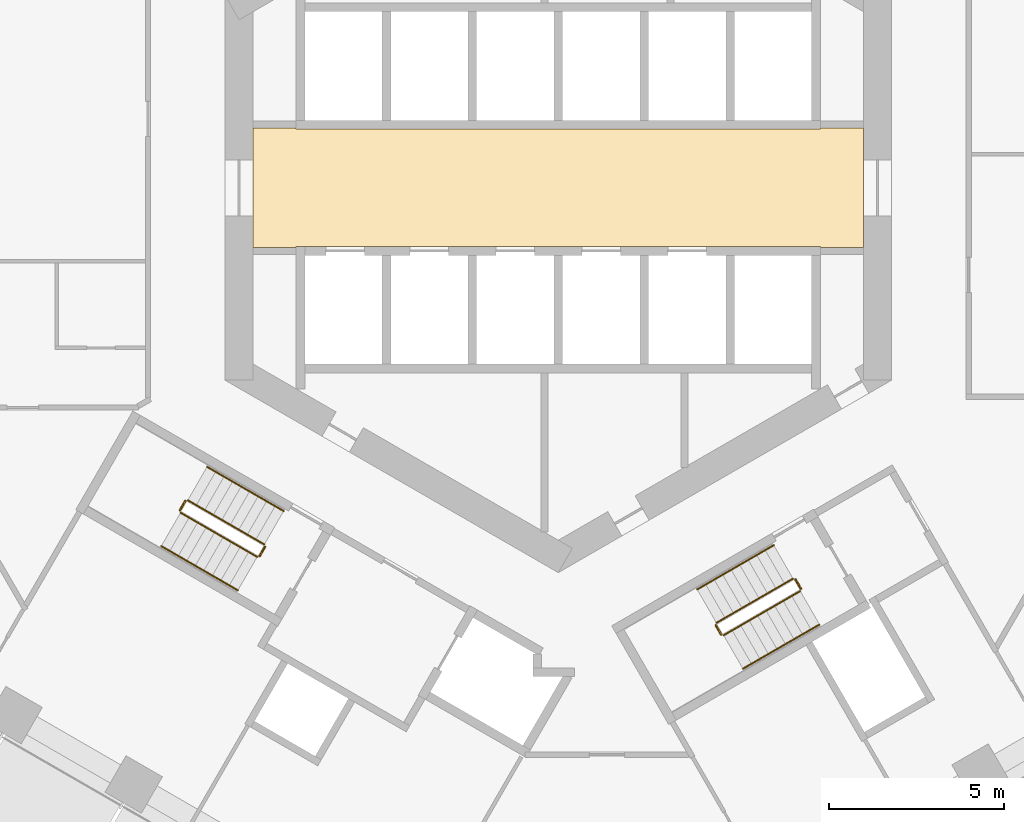
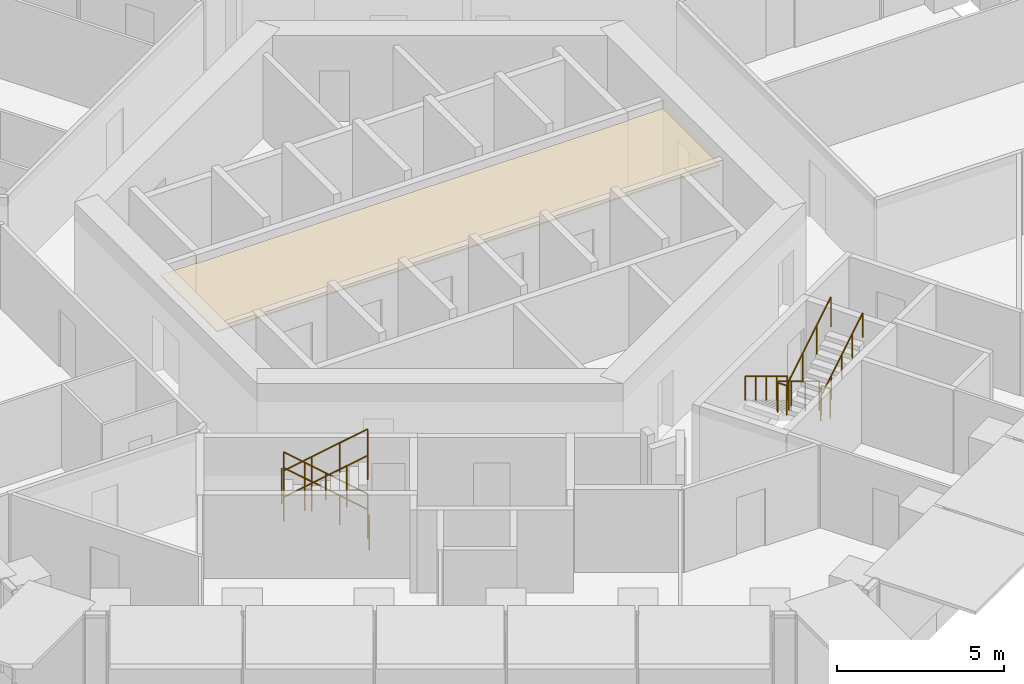
# One storey, part 17 of 19: 16 railings, 1 covering.
"""IFC4 building model written with IfcOpenShell, lengths in metres."""

from ifc_helpers import new_model, si_unit, direction, frame, origin, origin_2d, place, context, subcontext, project, spatial, polyline, circle, outline, extrude, material, layer, layer_set, type_object, element, save


model = new_model("IFC4")

# Units and contexts
model_context = context("Model", 3, precision=1e-05, world=origin(), true_north=direction((0.0, 1.0)))
body_context = subcontext(model_context, "Body", "Model", "MODEL_VIEW")
ifc_project = project(units=[si_unit("LENGTHUNIT", "METRE"), si_unit("AREAUNIT", "SQUARE_METRE"), si_unit("VOLUMEUNIT", "CUBIC_METRE"), si_unit("PLANEANGLEUNIT", "RADIAN"), si_unit("MASSUNIT", "GRAM", prefix="KILO")], contexts=[model_context])

# Site, building, storey
site_placement = place(None, origin())
site = spatial("IfcSite", under=ifc_project, at=site_placement, CompositionType="ELEMENT")
building_placement = place(site_placement, origin())
building = spatial("IfcBuilding", under=site, at=building_placement, Name="Ayvan Gate Tower", CompositionType="ELEMENT")
storey_placement = place(building_placement, frame((0.0, 0.0, 42.5)))
storey = spatial("IfcBuildingStorey", under=building, at=storey_placement, Name="L10", CompositionType="ELEMENT", Elevation=42.5)

# Covering
ifc_material_1 = material(Name="Plasterboard suspended ceiling")
ifc_layer = layer(ifc_material_1, 0.050048828125)
ifc_layer_set = layer_set([ifc_layer], Name="Plasterboard suspended ceiling")
covering_type = type_object("IfcCoveringType", Name="CT-SUSP-50", PredefinedType="CEILING", material=ifc_layer_set)
covering_placement = place(storey_placement, frame((0.0, 0.0, 2.699951171875)))
element("IfcCovering", 1, at=covering_placement, inside=storey, type_object=covering_type, Name="Ceiling Lift Lobby L10", PredefinedType="CEILING", context=body_context, shape_type="SweptSolid", body=[
    extrude(outline(polyline([(7.47509765625, -1.675048828125), (-7.47509765625, -1.675048828125), (-7.47509765625, -1.699951171875), (-8.699951171875, -1.699951171875), (-8.699951171875, 1.699951171875), (-7.47509765625, 1.699951171875), (-7.47509765625, 1.675048828125), (7.47509765625, 1.675048828125), (7.47509765625, 1.699951171875), (8.699951171875, 1.699951171875), (8.699951171875, -1.699951171875), (7.47509765625, -1.699951171875), (7.47509765625, -1.675048828125)])), origin(), (0.0, 0.0, 1.0), 0.050048828125),
])

# Railings
ifc_material_2 = material(Name="Stainless steel balustrade", Category="steel")
railing_type_1 = type_object("IfcRailingType", Name="RL-GUARD-1100", PredefinedType="GUARDRAIL", material=ifc_material_2)
railing_1_placement = place(storey_placement, frame((-8.381103515625, -10.16650390625, 0.169921875)))
element("IfcRailing", 2, at=railing_1_placement, inside=storey, type_object=railing_type_1, Name="L10 STS2 stair guard 1", PredefinedType="GUARDRAIL", context=body_context, shape_type="SweptSolid", body=[
    extrude(circle(Radius=0.02392578125, at=origin_2d()), frame((0.0, 0.0, 1.076171875), z_axis=(-0.740261155115, 0.427395438142, 0.518986090067), x_axis=(-0.500004791531, -0.866022637375, 0.0)), (0.0, 0.0, 1.0), 2.947998046875),
    extrude(circle(Radius=0.02099609375, at=origin_2d()), origin(), (0.0, 0.0, 1.0), 1.052001953125),
    extrude(circle(Radius=0.02099609375, at=origin_2d()), frame((-0.7275390625, 0.419921875, 0.510009765625)), (0.0, 0.0, 1.0), 1.052001953125),
    extrude(circle(Radius=0.02099609375, at=origin_2d()), frame((-1.454833984375, 0.840087890625, 1.02001953125)), (0.0, 0.0, 1.0), 1.052001953125),
    extrude(circle(Radius=0.02099609375, at=origin_2d()), frame((-2.182373046875, 1.260009765625, 1.530029296875)), (0.0, 0.0, 1.0), 1.052001953125),
])
railing_2_placement = place(storey_placement, frame((-10.6318359375, -8.9248046875, 1.699951171875)))
element("IfcRailing", 3, at=railing_2_placement, inside=storey, type_object=railing_type_1, Name="L10 STS2 stair guard 2", PredefinedType="GUARDRAIL", context=body_context, shape_type="SweptSolid", body=[
    extrude(circle(Radius=0.02392578125, at=origin_2d()), frame((0.0, 0.0, 1.076171875), z_axis=(-0.499949632511, -0.866054481515, 0.0), x_axis=(0.866054481515, -0.499949632511, 0.0)), (0.0, 0.0, 1.0), 0.31005859375),
    extrude(circle(Radius=0.02099609375, at=origin_2d()), origin(), (0.0, 0.0, 1.0), 1.052001953125),
    extrude(circle(Radius=0.02099609375, at=origin_2d()), frame((-0.155029296875, -0.2685546875, 0.0)), (0.0, 0.0, 1.0), 1.052001953125),
])
railing_3_placement = place(storey_placement, frame((-10.7685546875, -9.261474609375, 1.8701171875)))
element("IfcRailing", 4, at=railing_3_placement, inside=storey, type_object=railing_type_1, Name="L10 STS2 stair guard 3", PredefinedType="GUARDRAIL", context=body_context, shape_type="SweptSolid", body=[
    extrude(circle(Radius=0.02392578125, at=origin_2d()), frame((0.0, 0.0, 1.076171875), z_axis=(0.740292969978, -0.427413806696, 0.51892557891), x_axis=(0.500004791531, 0.866022637375, 0.0)), (0.0, 0.0, 1.0), 2.947998046875),
    extrude(circle(Radius=0.02099609375, at=origin_2d()), origin(), (0.0, 0.0, 1.0), 1.052001953125),
    extrude(circle(Radius=0.02099609375, at=origin_2d()), frame((0.7275390625, -0.419921875, 0.510009765625)), (0.0, 0.0, 1.0), 1.052001953125),
    extrude(circle(Radius=0.02099609375, at=origin_2d()), frame((1.454833984375, -0.840087890625, 1.019775390625)), (0.0, 0.0, 1.0), 1.052001953125),
    extrude(circle(Radius=0.02099609375, at=origin_2d()), frame((2.182373046875, -1.260009765625, 1.52978515625)), (0.0, 0.0, 1.0), 1.052001953125),
])
railing_4_placement = place(storey_placement, frame((-8.36279296875, -10.23486328125, 0.0)))
element("IfcRailing", 5, at=railing_4_placement, inside=storey, type_object=railing_type_1, Name="L10 STS2 stair guard 4", PredefinedType="GUARDRAIL", context=body_context, shape_type="SweptSolid", body=[
    extrude(circle(Radius=0.02392578125, at=origin_2d()), frame((0.0, 0.0, 1.076171875), z_axis=(-0.500290723946, -0.86585748916, 0.0), x_axis=(0.86585748916, -0.500290723946, 0.0)), (0.0, 0.0, 1.0), 0.309814453125),
    extrude(circle(Radius=0.02099609375, at=origin_2d()), origin(), (0.0, 0.0, 1.0), 1.052001953125),
    extrude(circle(Radius=0.02099609375, at=origin_2d()), frame((-0.155029296875, -0.268310546875, 0.0)), (0.0, 0.0, 1.0), 1.052001953125),
])
railing_5_placement = place(storey_placement, frame((6.6923828125, -11.1416015625, 0.169921875)))
element("IfcRailing", 6, at=railing_5_placement, inside=storey, type_object=railing_type_1, Name="L10 STS3 stair guard 1", PredefinedType="GUARDRAIL", context=body_context, shape_type="SweptSolid", body=[
    extrude(circle(Radius=0.02392578125, at=origin_2d()), frame((0.0, 0.0, 1.076171875), z_axis=(-0.740261155115, -0.427395438142, 0.518986090067), x_axis=(0.500004791531, -0.866022637375, 0.0)), (0.0, 0.0, 1.0), 2.947998046875),
    extrude(circle(Radius=0.02099609375, at=origin_2d()), origin(), (0.0, 0.0, 1.0), 1.052001953125),
    extrude(circle(Radius=0.02099609375, at=origin_2d()), frame((-0.7275390625, -0.419921875, 0.510009765625)), (0.0, 0.0, 1.0), 1.052001953125),
    extrude(circle(Radius=0.02099609375, at=origin_2d()), frame((-1.454833984375, -0.840087890625, 1.02001953125)), (0.0, 0.0, 1.0), 1.052001953125),
    extrude(circle(Radius=0.02099609375, at=origin_2d()), frame((-2.182373046875, -1.260009765625, 1.530029296875)), (0.0, 0.0, 1.0), 1.052001953125),
])
railing_6_placement = place(storey_placement, frame((4.49169921875, -12.4697265625, 1.699951171875)))
element("IfcRailing", 7, at=railing_6_placement, inside=storey, type_object=railing_type_1, Name="L10 STS3 stair guard 2", PredefinedType="GUARDRAIL", context=body_context, shape_type="SweptSolid", body=[
    extrude(circle(Radius=0.02392578125, at=origin_2d()), frame((0.0, 0.0, 1.076171875), z_axis=(0.499949632511, -0.866054481515, 0.0), x_axis=(0.866054481515, 0.499949632511, 0.0)), (0.0, 0.0, 1.0), 0.31005859375),
    extrude(circle(Radius=0.02099609375, at=origin_2d()), origin(), (0.0, 0.0, 1.0), 1.052001953125),
    extrude(circle(Radius=0.02099609375, at=origin_2d()), frame((0.155029296875, -0.2685546875, 0.0)), (0.0, 0.0, 1.0), 1.052001953125),
])
railing_7_placement = place(storey_placement, frame((4.715087890625, -12.756591796875, 1.8701171875)))
element("IfcRailing", 8, at=railing_7_placement, inside=storey, type_object=railing_type_1, Name="L10 STS3 stair guard 3", PredefinedType="GUARDRAIL", context=body_context, shape_type="SweptSolid", body=[
    extrude(circle(Radius=0.02392578125, at=origin_2d()), frame((0.0, 0.0, 1.076171875), z_axis=(0.740292969978, 0.427413806696, 0.51892557891), x_axis=(-0.500004791531, 0.866022637375, 0.0)), (0.0, 0.0, 1.0), 2.947998046875),
    extrude(circle(Radius=0.02099609375, at=origin_2d()), origin(), (0.0, 0.0, 1.0), 1.052001953125),
    extrude(circle(Radius=0.02099609375, at=origin_2d()), frame((0.7275390625, 0.419921875, 0.510009765625)), (0.0, 0.0, 1.0), 1.052001953125),
    extrude(circle(Radius=0.02099609375, at=origin_2d()), frame((1.454833984375, 0.840087890625, 1.019775390625)), (0.0, 0.0, 1.0), 1.052001953125),
    extrude(circle(Radius=0.02099609375, at=origin_2d()), frame((2.182373046875, 1.260009765625, 1.52978515625)), (0.0, 0.0, 1.0), 1.052001953125),
])
railing_8_placement = place(storey_placement, frame((6.7607421875, -11.159912109375, 0.0)))
element("IfcRailing", 9, at=railing_8_placement, inside=storey, type_object=railing_type_1, Name="L10 STS3 stair guard 4", PredefinedType="GUARDRAIL", context=body_context, shape_type="SweptSolid", body=[
    extrude(circle(Radius=0.02392578125, at=origin_2d()), frame((0.0, 0.0, 1.076171875), z_axis=(0.500290723946, -0.86585748916, 0.0), x_axis=(0.86585748916, 0.500290723946, 0.0)), (0.0, 0.0, 1.0), 0.309814453125),
    extrude(circle(Radius=0.02099609375, at=origin_2d()), origin(), (0.0, 0.0, 1.0), 1.052001953125),
    extrude(circle(Radius=0.02099609375, at=origin_2d()), frame((0.155029296875, -0.268310546875, 0.0)), (0.0, 0.0, 1.0), 1.052001953125),
])
railing_type_2 = type_object("IfcRailingType", Name="RL-HANDRAIL-900", PredefinedType="HANDRAIL", material=ifc_material_2)
railing_9_placement = place(storey_placement, frame((-7.8310546875, -9.2138671875, 0.169921875)))
element("IfcRailing", 10, at=railing_9_placement, inside=storey, type_object=railing_type_2, Name="L10 STS2 stair handrail 1", PredefinedType="HANDRAIL", context=body_context, shape_type="SweptSolid", body=[
    extrude(circle(Radius=0.02392578125, at=origin_2d()), frame((0.0, 0.0, 0.8759765625), z_axis=(-0.740292964666, 0.42728318766, 0.519033143459), x_axis=(-0.499890179513, -0.866088799389, 0.0)), (0.0, 0.0, 1.0), 1.47412109375),
    extrude(circle(Radius=0.02099609375, at=origin_2d()), origin(), (0.0, 0.0, 1.0), 0.851806640625),
    extrude(circle(Radius=0.02099609375, at=origin_2d()), frame((-0.545654296875, 0.31494140625, 0.382568359375)), (0.0, 0.0, 1.0), 0.851806640625),
    extrude(circle(Radius=0.02099609375, at=origin_2d()), frame((-1.09130859375, 0.6298828125, 0.76513671875)), (0.0, 0.0, 1.0), 0.851806640625),
])
railing_10_placement = place(storey_placement, frame((-8.92236328125, -8.583984375, 0.93505859375)))
element("IfcRailing", 11, at=railing_10_placement, inside=storey, type_object=railing_type_2, Name="L10 STS2 stair handrail 2", PredefinedType="HANDRAIL", context=body_context, shape_type="SweptSolid", body=[
    extrude(circle(Radius=0.02392578125, at=origin_2d()), frame((0.0, 0.0, 0.8759765625), z_axis=(-0.740229329464, 0.427507697325, 0.518939021976), x_axis=(-0.50011940292, -0.865956455501, 0.0)), (0.0, 0.0, 1.0), 1.473876953125),
    extrude(circle(Radius=0.02099609375, at=origin_2d()), origin(), (0.0, 0.0, 1.0), 0.851806640625),
    extrude(circle(Radius=0.02099609375, at=origin_2d()), frame((-0.54541015625, 0.31494140625, 0.38232421875)), (0.0, 0.0, 1.0), 0.851806640625),
    extrude(circle(Radius=0.02099609375, at=origin_2d()), frame((-1.091064453125, 0.630126953125, 0.764892578125)), (0.0, 0.0, 1.0), 0.851806640625),
])
railing_11_placement = place(storey_placement, frame((-11.318603515625, -10.214111328125, 1.8701171875)))
element("IfcRailing", 12, at=railing_11_placement, inside=storey, type_object=railing_type_2, Name="L10 STS2 stair handrail 3", PredefinedType="HANDRAIL", context=body_context, shape_type="SweptSolid", body=[
    extrude(circle(Radius=0.02392578125, at=origin_2d()), frame((0.0, 0.0, 0.8759765625), z_axis=(0.740304193401, -0.427455284825, 0.518875399983), x_axis=(0.500035496587, 0.86600490885, 0.0)), (0.0, 0.0, 1.0), 1.47412109375),
    extrude(circle(Radius=0.02099609375, at=origin_2d()), origin(), (0.0, 0.0, 1.0), 0.851806640625),
    extrude(circle(Radius=0.02099609375, at=origin_2d()), frame((0.545654296875, -0.31494140625, 0.38232421875)), (0.0, 0.0, 1.0), 0.851806640625),
    extrude(circle(Radius=0.02099609375, at=origin_2d()), frame((1.09130859375, -0.630126953125, 0.764892578125)), (0.0, 0.0, 1.0), 0.851806640625),
])
railing_12_placement = place(storey_placement, frame((-10.227294921875, -10.84423828125, 2.635009765625)))
element("IfcRailing", 13, at=railing_12_placement, inside=storey, type_object=railing_type_2, Name="L10 STS2 stair handrail 4", PredefinedType="HANDRAIL", context=body_context, shape_type="SweptSolid", body=[
    extrude(circle(Radius=0.02392578125, at=origin_2d()), frame((0.0, 0.0, 0.8759765625), z_axis=(0.740356597536, -0.427319915356, 0.518912129772), x_axis=(0.499890179513, 0.866088799389, 0.0)), (0.0, 0.0, 1.0), 1.47412109375),
    extrude(circle(Radius=0.02099609375, at=origin_2d()), origin(), (0.0, 0.0, 1.0), 0.851806640625),
    extrude(circle(Radius=0.02099609375, at=origin_2d()), frame((0.545654296875, -0.31494140625, 0.38232421875)), (0.0, 0.0, 1.0), 0.851806640625),
    extrude(circle(Radius=0.02099609375, at=origin_2d()), frame((1.09130859375, -0.6298828125, 0.764892578125)), (0.0, 0.0, 1.0), 0.851806640625),
])
railing_13_placement = place(storey_placement, frame((6.142333984375, -10.18896484375, 0.169921875)))
element("IfcRailing", 14, at=railing_13_placement, inside=storey, type_object=railing_type_2, Name="L10 STS3 stair handrail 1", PredefinedType="HANDRAIL", context=body_context, shape_type="SweptSolid", body=[
    extrude(circle(Radius=0.02392578125, at=origin_2d()), frame((0.0, 0.0, 0.8759765625), z_axis=(-0.740218099111, -0.427335577468, 0.519096782863), x_axis=(0.499974077718, -0.866040369504, 0.0)), (0.0, 0.0, 1.0), 1.473876953125),
    extrude(circle(Radius=0.02099609375, at=origin_2d()), origin(), (0.0, 0.0, 1.0), 0.851806640625),
    extrude(circle(Radius=0.02099609375, at=origin_2d()), frame((-0.54541015625, -0.31494140625, 0.382568359375)), (0.0, 0.0, 1.0), 0.851806640625),
    extrude(circle(Radius=0.02099609375, at=origin_2d()), frame((-1.091064453125, -0.6298828125, 0.76513671875)), (0.0, 0.0, 1.0), 0.851806640625),
])
railing_14_placement = place(storey_placement, frame((5.05126953125, -10.81884765625, 0.93505859375)))
element("IfcRailing", 15, at=railing_14_placement, inside=storey, type_object=railing_type_2, Name="L10 STS3 stair handrail 2", PredefinedType="HANDRAIL", context=body_context, shape_type="SweptSolid", body=[
    extrude(circle(Radius=0.02392578125, at=origin_2d()), frame((0.0, 0.0, 0.8759765625), z_axis=(-0.740304193401, -0.427455284825, 0.518875399983), x_axis=(0.500035496587, -0.86600490885, 0.0)), (0.0, 0.0, 1.0), 1.47412109375),
    extrude(circle(Radius=0.02099609375, at=origin_2d()), origin(), (0.0, 0.0, 1.0), 0.851806640625),
    extrude(circle(Radius=0.02099609375, at=origin_2d()), frame((-0.545654296875, -0.31494140625, 0.38232421875)), (0.0, 0.0, 1.0), 0.851806640625),
    extrude(circle(Radius=0.02099609375, at=origin_2d()), frame((-1.09130859375, -0.630126953125, 0.764892578125)), (0.0, 0.0, 1.0), 0.851806640625),
])
railing_15_placement = place(storey_placement, frame((5.264892578125, -13.709228515625, 1.8701171875)))
element("IfcRailing", 16, at=railing_15_placement, inside=storey, type_object=railing_type_2, Name="L10 STS3 stair handrail 3", PredefinedType="HANDRAIL", context=body_context, shape_type="SweptSolid", body=[
    extrude(circle(Radius=0.02392578125, at=origin_2d()), frame((0.0, 0.0, 0.8759765625), z_axis=(0.740304193401, 0.427455284825, 0.518875399983), x_axis=(-0.500035496587, 0.86600490885, 0.0)), (0.0, 0.0, 1.0), 1.47412109375),
    extrude(circle(Radius=0.02099609375, at=origin_2d()), origin(), (0.0, 0.0, 1.0), 0.851806640625),
    extrude(circle(Radius=0.02099609375, at=origin_2d()), frame((0.545654296875, 0.31494140625, 0.38232421875)), (0.0, 0.0, 1.0), 0.851806640625),
    extrude(circle(Radius=0.02099609375, at=origin_2d()), frame((1.09130859375, 0.630126953125, 0.764892578125)), (0.0, 0.0, 1.0), 0.851806640625),
])
railing_16_placement = place(storey_placement, frame((6.356201171875, -13.0791015625, 2.635009765625)))
element("IfcRailing", 17, at=railing_16_placement, inside=storey, type_object=railing_type_2, Name="L10 STS3 stair handrail 4", PredefinedType="HANDRAIL", context=body_context, shape_type="SweptSolid", body=[
    extrude(circle(Radius=0.02392578125, at=origin_2d()), frame((0.0, 0.0, 0.8759765625), z_axis=(0.740281741151, 0.427372318678, 0.518975765278), x_axis=(-0.499974077718, 0.866040369504, 0.0)), (0.0, 0.0, 1.0), 1.473876953125),
    extrude(circle(Radius=0.02099609375, at=origin_2d()), origin(), (0.0, 0.0, 1.0), 0.851806640625),
    extrude(circle(Radius=0.02099609375, at=origin_2d()), frame((0.54541015625, 0.31494140625, 0.38232421875)), (0.0, 0.0, 1.0), 0.851806640625),
    extrude(circle(Radius=0.02099609375, at=origin_2d()), frame((1.091064453125, 0.6298828125, 0.764892578125)), (0.0, 0.0, 1.0), 0.851806640625),
])

save(model, "model.ifc")
